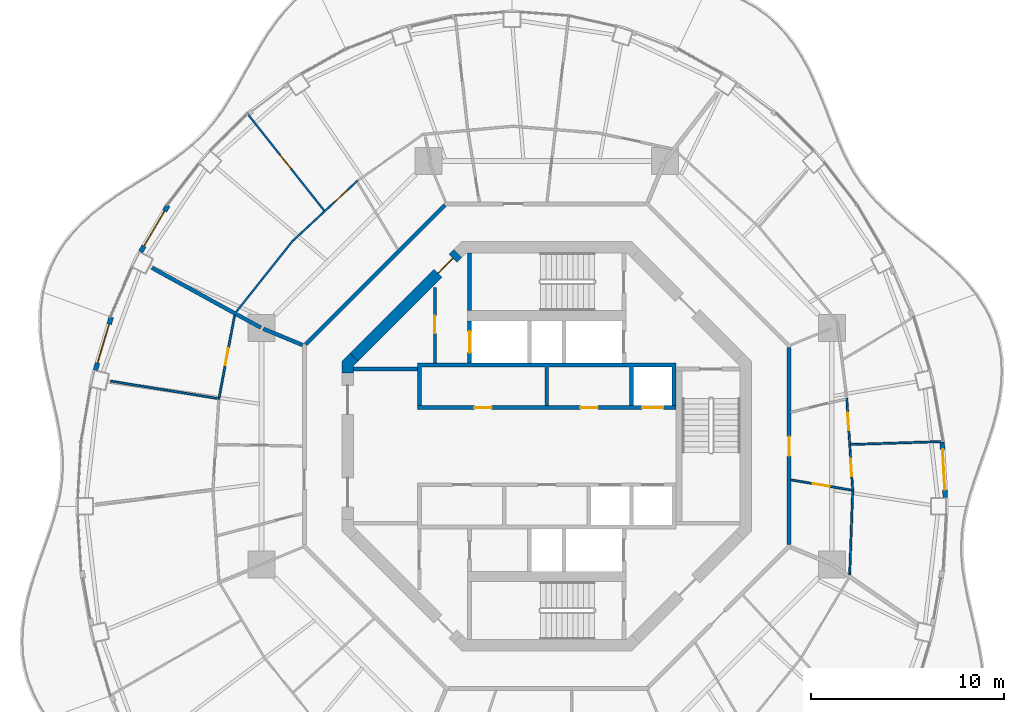
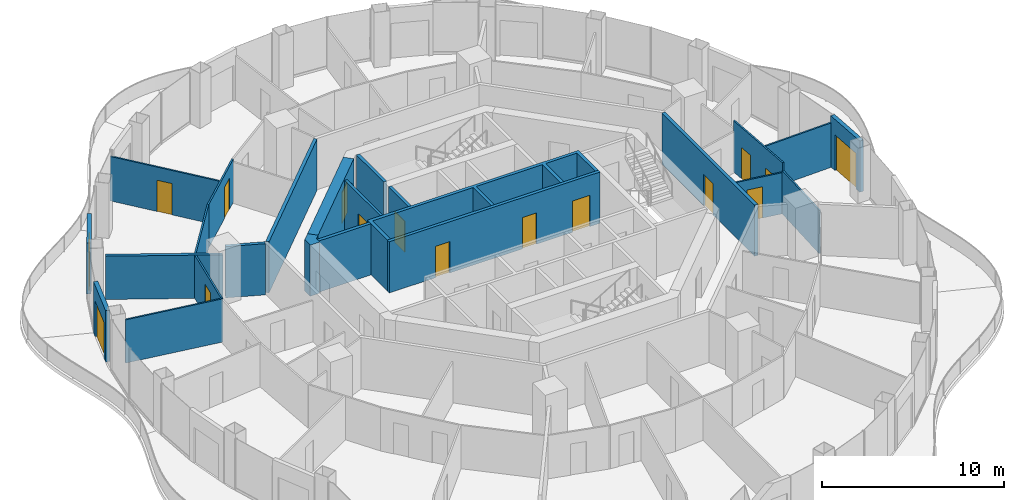
# One storey, part 12 of 17: 24 walls, 16 doors, 16 openings.
"""IFC4 building model written with IfcOpenShell, lengths in metres."""

from ifc_helpers import new_model, si_unit, direction, frame, frame_2d, origin, place, context, subcontext, project, spatial, polyline, rectangle, outline, extrude, material, layer, layer_set, type_object, element, fill, save


model = new_model("IFC4")

# Units and contexts
model_context = context("Model", 3, precision=1e-05, world=origin(), true_north=direction((0.0, 1.0)))
body_context = subcontext(model_context, "Body", "Model", "MODEL_VIEW")
ifc_project = project(units=[si_unit("LENGTHUNIT", "METRE"), si_unit("AREAUNIT", "SQUARE_METRE"), si_unit("VOLUMEUNIT", "CUBIC_METRE"), si_unit("PLANEANGLEUNIT", "RADIAN"), si_unit("MASSUNIT", "GRAM", prefix="KILO")], contexts=[model_context])

# Site, building, storey
site_placement = place(None, origin())
site = spatial("IfcSite", under=ifc_project, at=site_placement, CompositionType="ELEMENT")
building_placement = place(site_placement, origin())
building = spatial("IfcBuilding", under=site, at=building_placement, Name="Nagisa Residences", CompositionType="ELEMENT")
storey_placement = place(building_placement, frame((0.0, 0.0, 262.199951171875)))
storey = spatial("IfcBuildingStorey", under=building, at=storey_placement, Name="L66", CompositionType="ELEMENT", Elevation=262.199951171875)

# Walls
ifc_material_1 = material(Name="Gypsum board on steel studs", Category="steel")
ifc_layer_1 = layer(ifc_material_1, 0.199951171875)
ifc_layer_set_1 = layer_set([ifc_layer_1], Name="Apartment compartment wall EI60 200")
wall_type_1 = type_object("IfcWallType", Name="Apartment compartment wall EI60 200", PredefinedType="PARTITIONING", material=ifc_layer_set_1)
wall_1_placement = place(storey_placement, frame((-12.6572265625, 5.24267578125, 0.0), z_axis=(0.0, 0.0, 1.0), x_axis=(-0.923869415315, 0.382707856524, 0.0)))
element("IfcWall", 1, at=wall_1_placement, inside=storey, type_object=wall_type_1, Name="wall:L66:u02", PredefinedType="PARTITIONING", context=body_context, shape_type="SweptSolid", body=[
    extrude(rectangle(XDim=2.2001953125, YDim=0.199951171875, at=frame_2d((1.10009765625, 0.0))), origin(), (0.0, 0.0, 1.0), 3.43994140625),
])
wall_2_placement = place(storey_placement, frame((-14.825927734375, 6.14697265625, 0.0), z_axis=(0.0, 0.0, 1.0), x_axis=(-0.876484755865, 0.481429613481, 0.0)))
element("IfcWall", 2, at=wall_2_placement, inside=storey, type_object=wall_type_1, Name="wall:L66:u03", PredefinedType="PARTITIONING", context=body_context, shape_type="SweptSolid", body=[
    extrude(rectangle(XDim=6.43896484375, YDim=0.199951171875, at=frame_2d((3.219482421875, 0.0))), origin(), (0.0, 0.0, 1.0), 2.905029296875),
])

# Wall, opening, door
ifc_material_2 = material(Name="Gypsum board on steel studs", Category="steel")
ifc_layer_2 = layer(ifc_material_2, 0.199951171875)
ifc_layer_set_2 = layer_set([ifc_layer_2], Name="Apartment entry wall EI60 200")
wall_type_2 = type_object("IfcWallType", Name="Apartment entry wall EI60 200", PredefinedType="PARTITIONING", material=ifc_layer_set_2)
wall_3_placement = place(storey_placement, frame((12.564697265625, -5.1044921875, 0.0), z_axis=(0.0, 0.0, 1.0), x_axis=(0.0, 1.0, 0.0)))
wall_3 = element("IfcWall", 3, at=wall_3_placement, inside=storey, type_object=wall_type_2, Name="wall:L66:u08", PredefinedType="PARTITIONING", context=body_context, shape_type="SweptSolid", body=[
    extrude(rectangle(XDim=10.208984375, YDim=0.199951171875, at=frame_2d((5.1044921875, 0.0))), origin(), (0.0, 0.0, 1.0), 3.43994140625),
])
opening_1_placement = place(wall_3_placement, frame((4.6044921875, 0.0, 0.0)))
opening_1 = element("IfcOpeningElement", 4, at=opening_1_placement, cuts=wall_3, Name="Opening L66-U01", PredefinedType="OPENING", context=body_context, shape_type="SweptSolid", body=[
    extrude(rectangle(XDim=1.0, YDim=2.10009765625, at=frame_2d((0.5, 1.050048828125))), frame((0.0, 0.10986328125, 0.0), z_axis=(0.0, -1.0, 0.0), x_axis=(1.0, 0.0, 0.0)), (0.0, 0.0, 1.0), 0.219970703125),
])
ifc_material_3 = material(Name="Timber fire door set", Category="wood")
door_type_1 = type_object("IfcDoorType", Name="Apartment entry door FD30S 1000x2100", OperationType="NOTDEFINED", PredefinedType="DOOR", material=ifc_material_3)
door_1_placement = place(opening_1_placement, frame((1.0, 0.0, 0.0), x_axis=(-1.0, 0.0, 0.0)))
door_1 = element("IfcDoor", 5, at=door_1_placement, inside=storey, type_object=door_type_1, Name="Entry door, Apartment 66A", OperationType="SINGLE_SWING_RIGHT", OverallHeight=2.10009765625, OverallWidth=1.0, PredefinedType="DOOR", context=body_context, shape_type="SweptSolid", body=[
    extrude(rectangle(XDim=1.0, YDim=2.10009765625, at=frame_2d((0.5, 1.050048828125))), frame((0.0, 0.02490234375, 0.0), z_axis=(0.0, -1.0, 0.0), x_axis=(1.0, 0.0, 0.0)), (0.0, 0.0, 1.0), 0.050048828125),
])
fill(opening_1, door_1)

# Wall
wall_4_placement = place(storey_placement, frame((-5.275146484375, 12.494140625, 0.0), z_axis=(0.0, 0.0, 1.0), x_axis=(-0.707106781187, -0.707106781187, 0.0)))
element("IfcWall", 6, at=wall_4_placement, inside=storey, type_object=wall_type_2, Name="wall:L66:u11", PredefinedType="PARTITIONING", context=body_context, shape_type="SweptSolid", body=[
    extrude(rectangle(XDim=10.209228515625, YDim=0.199951171875, at=frame_2d((5.1044921875, 0.0))), origin(), (0.0, 0.0, 1.0), 3.43994140625),
])

# Wall, opening, door
ifc_material_4 = material(Name="Gypsum board on steel studs", Category="steel")
ifc_layer_3 = layer(ifc_material_4, 0.10009765625)
ifc_layer_set_3 = layer_set([ifc_layer_3], Name="Apartment partition 100")
wall_type_3 = type_object("IfcWallType", Name="Apartment partition 100", PredefinedType="PARTITIONING", material=ifc_layer_set_3)
wall_5_placement = place(storey_placement, frame((12.663330078125, -1.75146484375, 0.0), z_axis=(0.0, 0.0, 1.0), x_axis=(0.98626156497, -0.165191178529, 0.0)))
wall_5 = element("IfcWall", 7, at=wall_5_placement, inside=storey, type_object=wall_type_3, Name="wall:L66:u16", PredefinedType="PARTITIONING", context=body_context, shape_type="SweptSolid", body=[
    extrude(rectangle(XDim=3.1982421875, YDim=0.10009765625, at=frame_2d((1.59912109375, 0.0))), origin(), (0.0, 0.0, 1.0), 2.761962890625),
])
opening_2_placement = place(wall_5_placement, frame((1.149169921875, 0.0, 0.0)))
opening_2 = element("IfcOpeningElement", 8, at=opening_2_placement, cuts=wall_5, Name="Opening L66-U02", PredefinedType="OPENING", context=body_context, shape_type="SweptSolid", body=[
    extrude(rectangle(XDim=0.89990234375, YDim=2.10009765625, at=frame_2d((0.449951171875, 1.050048828125))), frame((0.0, 0.06005859375, 0.0), z_axis=(0.0, -1.0, 0.0), x_axis=(1.0, 0.0, 0.0)), (0.0, 0.0, 1.0), 0.1201171875),
])
ifc_material_5 = material(Name="Timber door set", Category="wood")
door_type_2 = type_object("IfcDoorType", Name="Apartment door 900x2100", OperationType="NOTDEFINED", PredefinedType="DOOR", material=ifc_material_5)
door_2_placement = place(opening_2_placement, frame((0.89990234375, 0.0, 0.0), x_axis=(-1.0, 0.0, 0.0)))
door_2 = element("IfcDoor", 9, at=door_2_placement, inside=storey, type_object=door_type_2, Name="Door to store, Apartment 66A", OperationType="SINGLE_SWING_LEFT", OverallHeight=2.10009765625, OverallWidth=0.89990234375, PredefinedType="DOOR", context=body_context, shape_type="SweptSolid", body=[
    extrude(rectangle(XDim=0.89990234375, YDim=2.10009765625, at=frame_2d((0.449951171875, 1.050048828125))), frame((0.0, 0.02490234375, 0.0), z_axis=(0.0, -1.0, 0.0), x_axis=(1.0, 0.0, 0.0)), (0.0, 0.0, 1.0), 0.050048828125),
])
fill(opening_2, door_2)

# Wall, openings, doors
wall_6_placement = place(storey_placement, frame((15.8701171875, -2.337890625, 0.0), z_axis=(0.0, 0.0, 1.0), x_axis=(-0.064797294757, 0.997898447034, 0.0)))
wall_6 = element("IfcWall", 10, at=wall_6_placement, inside=storey, type_object=wall_type_3, Name="wall:L66:u17", PredefinedType="PARTITIONING", context=body_context, shape_type="SweptSolid", body=[
    extrude(rectangle(XDim=4.856689453125, YDim=0.10009765625, at=frame_2d((2.42822265625, 0.0))), origin(), (0.0, 0.0, 1.0), 3.43994140625),
])
opening_3_placement = place(wall_6_placement, frame((0.789306640625, 0.0, 0.0)))
opening_3 = element("IfcOpeningElement", 11, at=opening_3_placement, cuts=wall_6, Name="Opening L66-U04", PredefinedType="OPENING", context=body_context, shape_type="SweptSolid", body=[
    extrude(rectangle(XDim=0.89990234375, YDim=2.10009765625, at=frame_2d((0.449951171875, 1.050048828125))), frame((0.0, 0.06005859375, 0.0), z_axis=(0.0, -1.0, 0.0), x_axis=(1.0, 0.0, 0.0)), (0.0, 0.0, 1.0), 0.1201171875),
])
opening_4_placement = place(wall_6_placement, frame((3.16748046875, 0.0, 0.0)))
opening_4 = element("IfcOpeningElement", 12, at=opening_4_placement, cuts=wall_6, Name="Opening L66-U05", PredefinedType="OPENING", context=body_context, shape_type="SweptSolid", body=[
    extrude(rectangle(XDim=0.89990234375, YDim=2.10009765625, at=frame_2d((0.449951171875, 1.050048828125))), frame((0.0, 0.06005859375, 0.0), z_axis=(0.0, -1.0, 0.0), x_axis=(1.0, 0.0, 0.0)), (0.0, 0.0, 1.0), 0.1201171875),
])
door_3_placement = place(opening_3_placement, frame((0.89990234375, 0.0, 0.0), x_axis=(-1.0, 0.0, 0.0)))
door_3 = element("IfcDoor", 13, at=door_3_placement, inside=storey, type_object=door_type_2, Name="Door to master bedroom, Apartment 66A", OperationType="SINGLE_SWING_LEFT", OverallHeight=2.10009765625, OverallWidth=0.89990234375, PredefinedType="DOOR", context=body_context, shape_type="SweptSolid", body=[
    extrude(rectangle(XDim=0.89990234375, YDim=2.10009765625, at=frame_2d((0.449951171875, 1.050048828125))), frame((0.0, 0.02490234375, 0.0), z_axis=(0.0, -1.0, 0.0), x_axis=(1.0, 0.0, 0.0)), (0.0, 0.0, 1.0), 0.050048828125),
])
fill(opening_3, door_3)
door_4_placement = place(opening_4_placement, frame((0.89990234375, 0.0, 0.0), x_axis=(-1.0, 0.0, 0.0)))
door_4 = element("IfcDoor", 14, at=door_4_placement, inside=storey, type_object=door_type_2, Name="Door to bedroom, Apartment 66A", OperationType="SINGLE_SWING_RIGHT", OverallHeight=2.10009765625, OverallWidth=0.89990234375, PredefinedType="DOOR", context=body_context, shape_type="SweptSolid", body=[
    extrude(rectangle(XDim=0.89990234375, YDim=2.10009765625, at=frame_2d((0.449951171875, 1.050048828125))), frame((0.0, 0.02490234375, 0.0), z_axis=(0.0, -1.0, 0.0), x_axis=(1.0, 0.0, 0.0)), (0.0, 0.0, 1.0), 0.050048828125),
])
fill(opening_4, door_4)

# Walls
wall_7_placement = place(storey_placement, frame((15.864990234375, -2.337890625, 0.0), z_axis=(0.0, 0.0, 1.0), x_axis=(-0.035864509465, -0.999356661538, 0.0)))
element("IfcWall", 15, at=wall_7_placement, inside=storey, type_object=wall_type_3, Name="wall:L66:u18", PredefinedType="PARTITIONING", context=body_context, shape_type="SweptSolid", body=[
    extrude(rectangle(XDim=4.329345703125, YDim=0.10009765625, at=frame_2d((2.16455078125, 0.0))), origin(), (0.0, 0.0, 1.0), 2.905029296875),
])
wall_8_placement = place(storey_placement, frame((15.7626953125, 0.0869140625, 0.0), z_axis=(0.0, 0.0, 1.0), x_axis=(0.999492034598, 0.03186962151, 0.0)))
element("IfcWall", 16, at=wall_8_placement, inside=storey, type_object=wall_type_3, Name="wall:L66:u19", PredefinedType="PARTITIONING", context=body_context, shape_type="SweptSolid", body=[
    extrude(rectangle(XDim=4.826171875, YDim=0.10009765625, at=frame_2d((2.4130859375, 0.0))), origin(), (0.0, 0.0, 1.0), 2.983154296875),
])

# Wall, opening, door
wall_9_placement = place(storey_placement, frame((-9.802001953125, 13.770263671875, 0.0), z_axis=(0.0, 0.0, 1.0), x_axis=(-0.732662099478, -0.680592571212, 0.0)))
wall_9 = element("IfcWall", 17, at=wall_9_placement, inside=storey, type_object=wall_type_3, Name="wall:L66:u36", PredefinedType="PARTITIONING", context=body_context, shape_type="SweptSolid", body=[
    extrude(rectangle(XDim=4.56689453125, YDim=0.10009765625, at=frame_2d((2.283447265625, 0.0))), origin(), (0.0, 0.0, 1.0), 2.905029296875),
])
opening_5_placement = place(wall_9_placement, frame((0.74169921875, 0.0, 0.0)))
opening_5 = element("IfcOpeningElement", 18, at=opening_5_placement, cuts=wall_9, Name="Opening L66-U17", PredefinedType="OPENING", context=body_context, shape_type="SweptSolid", body=[
    extrude(rectangle(XDim=0.89990234375, YDim=2.10009765625, at=frame_2d((0.449951171875, 1.050048828125))), frame((0.0, 0.06005859375, 0.0), z_axis=(0.0, -1.0, 0.0), x_axis=(1.0, 0.0, 0.0)), (0.0, 0.0, 1.0), 0.1201171875),
])
door_5_placement = place(opening_5_placement, origin())
door_5 = element("IfcDoor", 19, at=door_5_placement, inside=storey, type_object=door_type_2, Name="Door to laundry, Apartment 66B", OperationType="SINGLE_SWING_LEFT", OverallHeight=2.10009765625, OverallWidth=0.89990234375, PredefinedType="DOOR", context=body_context, shape_type="SweptSolid", body=[
    extrude(rectangle(XDim=0.89990234375, YDim=2.10009765625, at=frame_2d((0.449951171875, 1.050048828125))), frame((0.0, 0.02490234375, 0.0), z_axis=(0.0, -1.0, 0.0), x_axis=(1.0, 0.0, 0.0)), (0.0, 0.0, 1.0), 0.050048828125),
])
fill(opening_5, door_5)

wall_10_placement = place(storey_placement, frame((-11.542724609375, 12.221435546875, 0.0), z_axis=(0.0, 0.0, 1.0), x_axis=(-0.621117202271, 0.783717692185, 0.0)))
wall_10 = element("IfcWall", 20, at=wall_10_placement, inside=storey, type_object=wall_type_3, Name="wall:L66:u37", PredefinedType="PARTITIONING", context=body_context, shape_type="SweptSolid", body=[
    extrude(rectangle(XDim=6.4443359375, YDim=0.10009765625, at=frame_2d((3.22216796875, 0.0))), origin(), (0.0, 0.0, 1.0), 2.983154296875),
])
opening_6_placement = place(wall_10_placement, frame((2.772216796875, 0.0, 0.0)))
opening_6 = element("IfcOpeningElement", 21, at=opening_6_placement, cuts=wall_10, Name="Opening L66-U15", PredefinedType="OPENING", context=body_context, shape_type="SweptSolid", body=[
    extrude(rectangle(XDim=0.89990234375, YDim=2.10009765625, at=frame_2d((0.449951171875, 1.050048828125))), frame((0.0, 0.06005859375, 0.0), z_axis=(0.0, -1.0, 0.0), x_axis=(1.0, 0.0, 0.0)), (0.0, 0.0, 1.0), 0.1201171875),
])
door_6_placement = place(opening_6_placement, origin())
door_6 = element("IfcDoor", 22, at=door_6_placement, inside=storey, type_object=door_type_2, Name="Door to master bedroom, Apartment 66B", OperationType="SINGLE_SWING_LEFT", OverallHeight=2.10009765625, OverallWidth=0.89990234375, PredefinedType="DOOR", context=body_context, shape_type="SweptSolid", body=[
    extrude(rectangle(XDim=0.89990234375, YDim=2.10009765625, at=frame_2d((0.449951171875, 1.050048828125))), frame((0.0, 0.02490234375, 0.0), z_axis=(0.0, -1.0, 0.0), x_axis=(1.0, 0.0, 0.0)), (0.0, 0.0, 1.0), 0.050048828125),
])
fill(opening_6, door_6)

# Wall
wall_11_placement = place(storey_placement, frame((-13.153564453125, 10.667236328125, 0.0), z_axis=(0.0, 0.0, 1.0), x_axis=(-0.622246555556, -0.782821323227, 0.0)))
element("IfcWall", 23, at=wall_11_placement, inside=storey, type_object=wall_type_3, Name="wall:L66:u38", PredefinedType="PARTITIONING", context=body_context, shape_type="SweptSolid", body=[
    extrude(rectangle(XDim=4.736083984375, YDim=0.10009765625, at=frame_2d((2.3681640625, 0.0))), origin(), (0.0, 0.0, 1.0), 2.905029296875),
])

# Wall, opening, door
wall_12_placement = place(storey_placement, frame((-16.181396484375, 6.783203125, 0.0), z_axis=(0.0, 0.0, 1.0), x_axis=(-0.185670583745, -0.982612046706, 0.0)))
wall_12 = element("IfcWall", 24, at=wall_12_placement, inside=storey, type_object=wall_type_3, Name="wall:L66:u39", PredefinedType="PARTITIONING", context=body_context, shape_type="SweptSolid", body=[
    extrude(rectangle(XDim=4.35107421875, YDim=0.10009765625, at=frame_2d((2.175537109375, 0.0))), origin(), (0.0, 0.0, 1.0), 2.905029296875),
])
opening_7_placement = place(wall_12_placement, frame((1.7255859375, 0.0, 0.0)))
opening_7 = element("IfcOpeningElement", 25, at=opening_7_placement, cuts=wall_12, Name="Opening L66-U21", PredefinedType="OPENING", context=body_context, shape_type="SweptSolid", body=[
    extrude(rectangle(XDim=0.89990234375, YDim=2.10009765625, at=frame_2d((0.449951171875, 1.050048828125))), frame((0.0, 0.06005859375, 0.0), z_axis=(0.0, -1.0, 0.0), x_axis=(1.0, 0.0, 0.0)), (0.0, 0.0, 1.0), 0.1201171875),
])
door_7_placement = place(opening_7_placement, frame((0.89990234375, 0.0, 0.0), x_axis=(-1.0, 0.0, 0.0)))
door_7 = element("IfcDoor", 26, at=door_7_placement, inside=storey, type_object=door_type_2, Name="Door to bedroom, Apartment 66C", OperationType="SINGLE_SWING_RIGHT", OverallHeight=2.10009765625, OverallWidth=0.89990234375, PredefinedType="DOOR", context=body_context, shape_type="SweptSolid", body=[
    extrude(rectangle(XDim=0.89990234375, YDim=2.10009765625, at=frame_2d((0.449951171875, 1.050048828125))), frame((0.0, 0.02490234375, 0.0), z_axis=(0.0, -1.0, 0.0), x_axis=(1.0, 0.0, 0.0)), (0.0, 0.0, 1.0), 0.050048828125),
])
fill(opening_7, door_7)

# Wall
wall_13_placement = place(storey_placement, frame((-16.94921875, 2.45068359375, 0.0), z_axis=(0.0, 0.0, 1.0), x_axis=(-0.986937570833, 0.161103169673, 0.0)))
element("IfcWall", 27, at=wall_13_placement, inside=storey, type_object=wall_type_3, Name="wall:L66:u40", PredefinedType="PARTITIONING", context=body_context, shape_type="SweptSolid", body=[
    extrude(rectangle(XDim=5.743408203125, YDim=0.10009765625, at=frame_2d((2.87158203125, 0.0))), origin(), (0.0, 0.0, 1.0), 2.905029296875),
])

# Wall, opening, door
ifc_material_6 = material(Name="Precast concrete C40/50", Category="concrete")
ifc_layer_4 = layer(ifc_material_6, 0.25)
ifc_layer_set_4 = layer_set([ifc_layer_4], Name="BALCONY DOOR WALL 250")
wall_type_4 = type_object("IfcWallType", Name="BALCONY DOOR WALL 250", PredefinedType="SOLIDWALL", material=ifc_layer_set_4)
wall_14_placement = place(storey_placement, frame((20.501708984375, 0.23486328125, 0.0), z_axis=(0.0, 0.0, 1.0), x_axis=(0.057533933376, -0.998343551344, 0.0)))
wall_14 = element("IfcWall", 28, at=wall_14_placement, inside=storey, type_object=wall_type_4, Name="wall:L66:bay00", PredefinedType="SOLIDWALL", context=body_context, shape_type="SweptSolid", body=[
    extrude(rectangle(XDim=2.915283203125, YDim=0.25, at=frame_2d((1.45751953125, 0.0))), origin(), (0.0, 0.0, 1.0), 3.43994140625),
])
opening_8_placement = place(wall_14_placement, frame((0.40771484375, 0.0, 0.0)))
opening_8 = element("IfcOpeningElement", 29, at=opening_8_placement, cuts=wall_14, Name="Opening BD-L66-01", PredefinedType="OPENING", context=body_context, shape_type="SweptSolid", body=[
    extrude(rectangle(XDim=2.10009765625, YDim=2.39990234375, at=frame_2d((1.050048828125, 1.199951171875))), frame((0.0, 0.135009765625, 0.0), z_axis=(0.0, -1.0, 0.0), x_axis=(1.0, 0.0, 0.0)), (0.0, 0.0, 1.0), 0.27001953125),
])
ifc_material_7 = material(Name="Aluminium and clear glass", Category="aluminium")
door_type_3 = type_object("IfcDoorType", Name="BALCONY SLIDING DOOR 2100x2400", OperationType="SLIDING_TO_LEFT", PredefinedType="DOOR", material=ifc_material_7)
door_8_placement = place(opening_8_placement, origin())
door_8 = element("IfcDoor", 30, at=door_8_placement, inside=storey, type_object=door_type_3, Name="door:L66:bay00", OperationType="SLIDING_TO_LEFT", OverallHeight=2.39990234375, OverallWidth=2.10009765625, PredefinedType="DOOR", context=body_context, shape_type="SweptSolid", body=[
    extrude(rectangle(XDim=2.10009765625, YDim=2.39990234375, at=frame_2d((1.050048828125, 1.199951171875))), frame((0.0, 0.02490234375, 0.0), z_axis=(0.0, -1.0, 0.0), x_axis=(1.0, 0.0, 0.0)), (0.0, 0.0, 1.0), 0.050048828125),
])
fill(opening_8, door_8)

wall_15_placement = place(storey_placement, frame((-21.053955078125, 10.0771484375, 0.0), z_axis=(0.0, 0.0, 1.0), x_axis=(0.506371364425, 0.862315511452, 0.0)))
wall_15 = element("IfcWall", 31, at=wall_15_placement, inside=storey, type_object=wall_type_4, Name="wall:L66:bay19", PredefinedType="SOLIDWALL", context=body_context, shape_type="SweptSolid", body=[
    extrude(rectangle(XDim=2.79638671875, YDim=0.25, at=frame_2d((1.398193359375, 0.0))), origin(), (0.0, 0.0, 1.0), 3.43994140625),
])
opening_9_placement = place(wall_15_placement, frame((0.34814453125, 0.0, 0.0)))
opening_9 = element("IfcOpeningElement", 32, at=opening_9_placement, cuts=wall_15, Name="Opening BD-L66-07", PredefinedType="OPENING", context=body_context, shape_type="SweptSolid", body=[
    extrude(rectangle(XDim=2.10009765625, YDim=2.39990234375, at=frame_2d((1.050048828125, 1.199951171875))), frame((0.0, 0.135009765625, 0.0), z_axis=(0.0, -1.0, 0.0), x_axis=(1.0, 0.0, 0.0)), (0.0, 0.0, 1.0), 0.27001953125),
])
door_9_placement = place(opening_9_placement, origin())
door_9 = element("IfcDoor", 33, at=door_9_placement, inside=storey, type_object=door_type_3, Name="door:L66:bay19", OperationType="SLIDING_TO_LEFT", OverallHeight=2.39990234375, OverallWidth=2.10009765625, PredefinedType="DOOR", context=body_context, shape_type="SweptSolid", body=[
    extrude(rectangle(XDim=2.10009765625, YDim=2.39990234375, at=frame_2d((1.050048828125, 1.199951171875))), frame((0.0, 0.02490234375, 0.0), z_axis=(0.0, -1.0, 0.0), x_axis=(1.0, 0.0, 0.0)), (0.0, 0.0, 1.0), 0.050048828125),
])
fill(opening_9, door_9)

wall_16_placement = place(storey_placement, frame((-23.40087890625, 3.939697265625, 0.0), z_axis=(0.0, 0.0, 1.0), x_axis=(0.285876209024, 0.9582665564, 0.0)))
wall_16 = element("IfcWall", 34, at=wall_16_placement, inside=storey, type_object=wall_type_4, Name="wall:L66:bay21", PredefinedType="SOLIDWALL", context=body_context, shape_type="SweptSolid", body=[
    extrude(rectangle(XDim=2.877197265625, YDim=0.25, at=frame_2d((1.4384765625, 0.0))), origin(), (0.0, 0.0, 1.0), 3.43994140625),
])
opening_10_placement = place(wall_16_placement, frame((0.388671875, 0.0, 0.0)))
opening_10 = element("IfcOpeningElement", 35, at=opening_10_placement, cuts=wall_16, Name="Opening BD-L66-08", PredefinedType="OPENING", context=body_context, shape_type="SweptSolid", body=[
    extrude(rectangle(XDim=2.10009765625, YDim=2.39990234375, at=frame_2d((1.050048828125, 1.199951171875))), frame((0.0, 0.135009765625, 0.0), z_axis=(0.0, -1.0, 0.0), x_axis=(1.0, 0.0, 0.0)), (0.0, 0.0, 1.0), 0.27001953125),
])
door_10_placement = place(opening_10_placement, origin())
door_10 = element("IfcDoor", 36, at=door_10_placement, inside=storey, type_object=door_type_3, Name="door:L66:bay21", OperationType="SLIDING_TO_LEFT", OverallHeight=2.39990234375, OverallWidth=2.10009765625, PredefinedType="DOOR", context=body_context, shape_type="SweptSolid", body=[
    extrude(rectangle(XDim=2.10009765625, YDim=2.39990234375, at=frame_2d((1.050048828125, 1.199951171875))), frame((0.0, 0.02490234375, 0.0), z_axis=(0.0, -1.0, 0.0), x_axis=(1.0, 0.0, 0.0)), (0.0, 0.0, 1.0), 0.050048828125),
])
fill(opening_10, door_10)

ifc_material_8 = material(Name="Gypsum board on steel studs", Category="steel")
ifc_layer_5 = layer(ifc_material_8, 0.14990234375)
ifc_layer_set_5 = layer_set([ifc_layer_5], Name="Core partition 150")
wall_type_5 = type_object("IfcWallType", Name="Core partition 150", PredefinedType="PARTITIONING", material=ifc_layer_set_5)
wall_17_placement = place(storey_placement, frame((-5.800048828125, 4.300048828125, 0.0), z_axis=(0.0, 0.0, 1.0), x_axis=(0.0, 1.0, 0.0)))
wall_17 = element("IfcWall", 37, at=wall_17_placement, inside=storey, type_object=wall_type_5, Name="wall:L66:NWp", PredefinedType="PARTITIONING", context=body_context, shape_type="SweptSolid", body=[
    extrude(rectangle(XDim=3.927001953125, YDim=0.14990234375, at=frame_2d((1.96337890625, 0.0))), origin(), (0.0, 0.0, 1.0), 3.43994140625),
])
opening_11_placement = place(wall_17_placement, frame((1.551025390625, 0.0, 0.0)))
opening_11 = element("IfcOpeningElement", 38, at=opening_11_placement, cuts=wall_17, Name="Opening L66-C10", PredefinedType="OPENING", context=body_context, shape_type="SweptSolid", body=[
    extrude(rectangle(XDim=0.89990234375, YDim=2.10009765625, at=frame_2d((0.449951171875, 1.050048828125))), frame((0.0, 0.0849609375, 0.0), z_axis=(0.0, -1.0, 0.0), x_axis=(1.0, 0.0, 0.0)), (0.0, 0.0, 1.0), 0.169921875),
])
ifc_material_9 = material(Name="Steel fire door", Category="steel")
door_type_4 = type_object("IfcDoorType", Name="Fire door EI30 900x2100 single swing", OperationType="NOTDEFINED", PredefinedType="DOOR", material=ifc_material_9)
door_11_placement = place(opening_11_placement, origin())
door_11 = element("IfcDoor", 39, at=door_11_placement, inside=storey, type_object=door_type_4, Name="Linen store door L66", OperationType="SINGLE_SWING_LEFT", OverallHeight=2.10009765625, OverallWidth=0.89990234375, PredefinedType="DOOR", context=body_context, shape_type="SweptSolid", body=[
    extrude(rectangle(XDim=0.89990234375, YDim=2.10009765625, at=frame_2d((0.449951171875, 1.050048828125))), frame((0.0, 0.02490234375, 0.0), z_axis=(0.0, -1.0, 0.0), x_axis=(1.0, 0.0, 0.0)), (0.0, 0.0, 1.0), 0.050048828125),
])
fill(opening_11, door_11)

# Wall
ifc_material_10 = material(Name="Gypsum board on steel studs", Category="steel")
ifc_layer_6 = layer(ifc_material_10, 0.199951171875)
ifc_layer_set_6 = layer_set([ifc_layer_6], Name="Core partition 200")
wall_type_6 = type_object("IfcWallType", Name="Core partition 200", PredefinedType="PARTITIONING", material=ifc_layer_set_6)
wall_18_placement = place(storey_placement, frame((-10.024658203125, 4.0, 0.0), z_axis=(0.0, 0.0, 1.0), x_axis=(1.0, 0.0, 0.0)))
element("IfcWall", 40, at=wall_18_placement, inside=storey, type_object=wall_type_6, Name="wall:L66:PNW", PredefinedType="PARTITIONING", context=body_context, shape_type="SweptSolid", body=[
    extrude(rectangle(XDim=3.32470703125, YDim=0.199951171875, at=frame_2d((1.662353515625, 0.0))), origin(), (0.0, 0.0, 1.0), 3.43994140625),
])

# Wall, opening, door
ifc_material_11 = material(Name="Concrete C60", Category="concrete")
ifc_layer_7 = layer(ifc_material_11, 0.60009765625)
ifc_layer_set_7 = layer_set([ifc_layer_7], Name="Core shear wall 600")
wall_type_7 = type_object("IfcWallType", Name="Core shear wall 600", PredefinedType="SHEAR", material=ifc_layer_set_7)
wall_19_placement = place(storey_placement, frame((-4.613037109375, 9.98828125, 0.0), z_axis=(0.0, 0.0, 1.0), x_axis=(-0.707106781187, -0.707106781187, 0.0)))
wall_19 = element("IfcWall", 41, at=wall_19_placement, inside=storey, type_object=wall_type_7, Name="wall:L66:core:flat3", PredefinedType="SHEAR", context=body_context, shape_type="SweptSolid", body=[
    extrude(rectangle(XDim=7.601806640625, YDim=0.60009765625, at=frame_2d((3.80078125, 0.0))), origin(), (0.0, 0.0, 1.0), 3.43994140625),
])
opening_12_placement = place(wall_19_placement, frame((0.350830078125, 0.0, 0.0)))
opening_12 = element("IfcOpeningElement", 42, at=opening_12_placement, cuts=wall_19, Name="Opening L66-C21", PredefinedType="OPENING", context=body_context, shape_type="SweptSolid", body=[
    extrude(rectangle(XDim=1.10009765625, YDim=2.10009765625, at=frame_2d((0.550048828125, 1.050048828125))), frame((0.0, 0.31005859375, 0.0), z_axis=(0.0, -1.0, 0.0), x_axis=(1.0, 0.0, 0.0)), (0.0, 0.0, 1.0), 0.6201171875),
])
ifc_material_12 = material(Name="Steel fire door", Category="steel")
door_type_5 = type_object("IfcDoorType", Name="Fire door EI60 1100x2100 single swing", OperationType="NOTDEFINED", PredefinedType="DOOR", material=ifc_material_12)
door_12_placement = place(opening_12_placement, origin())
door_12 = element("IfcDoor", 43, at=door_12_placement, inside=storey, type_object=door_type_5, Name="Service lobby door L66", OperationType="SINGLE_SWING_RIGHT", OverallHeight=2.10009765625, OverallWidth=1.10009765625, PredefinedType="DOOR", context=body_context, shape_type="SweptSolid", body=[
    extrude(rectangle(XDim=1.10009765625, YDim=2.10009765625, at=frame_2d((0.550048828125, 1.050048828125))), frame((0.0, 0.02490234375, 0.0), z_axis=(0.0, -1.0, 0.0), x_axis=(1.0, 0.0, 0.0)), (0.0, 0.0, 1.0), 0.050048828125),
])
fill(opening_12, door_12)

# Wall
wall_20_placement = place(storey_placement, origin())
element("IfcWall", 44, at=wall_20_placement, inside=storey, type_object=wall_type_7, Name="wall:L66:core:pier3", PredefinedType="SHEAR", context=body_context, shape_type="SweptSolid", body=[
    extrude(outline(polyline([(-10.200439453125, 4.8251953125), (-9.776123046875, 4.40087890625), (-10.024658203125, 4.15234375), (-10.024658203125, 3.80078125), (-10.62451171875, 3.80078125), (-10.62451171875, 4.40087890625), (-10.200439453125, 4.8251953125)])), origin(), (0.0, 0.0, 1.0), 3.43994140625),
])

# Wall, opening, door
ifc_material_13 = material(Name="Concrete C60", Category="concrete")
ifc_layer_8 = layer(ifc_material_13, 0.199951171875)
ifc_layer_set_8 = layer_set([ifc_layer_8], Name="Lift shaft wall 200")
wall_type_8 = type_object("IfcWallType", Name="Lift shaft wall 200", PredefinedType="SOLIDWALL", material=ifc_layer_set_8)
wall_21_placement = place(storey_placement, frame((-4.0, 4.300048828125, 0.0), z_axis=(0.0, 0.0, 1.0), x_axis=(0.0, 1.0, 0.0)))
wall_21 = element("IfcWall", 45, at=wall_21_placement, inside=storey, type_object=wall_type_8, Name="wall:L66:Nb4", PredefinedType="SOLIDWALL", context=body_context, shape_type="SweptSolid", body=[
    extrude(rectangle(XDim=2.199951171875, YDim=0.199951171875, at=frame_2d((1.10009765625, 0.0))), origin(), (0.0, 0.0, 1.0), 3.43994140625),
])
opening_13_placement = place(wall_21_placement, frame((0.550048828125, 0.0, 0.0)))
opening_13 = element("IfcOpeningElement", 46, at=opening_13_placement, cuts=wall_21, Name="Opening L66-C06", PredefinedType="OPENING", context=body_context, shape_type="SweptSolid", body=[
    extrude(rectangle(XDim=1.10009765625, YDim=2.10009765625, at=frame_2d((0.550048828125, 1.050048828125))), frame((0.0, 0.10986328125, 0.0), z_axis=(0.0, -1.0, 0.0), x_axis=(1.0, 0.0, 0.0)), (0.0, 0.0, 1.0), 0.219970703125),
])
ifc_material_14 = material(Name="Stainless steel", Category="steel")
door_type_6 = type_object("IfcDoorType", Name="Lift landing door 1100x2100", OperationType="DOUBLE_DOOR_SLIDING", PredefinedType="DOOR", material=ifc_material_14)
door_13_placement = place(opening_13_placement, origin())
door_13 = element("IfcDoor", 47, at=door_13_placement, inside=storey, type_object=door_type_6, Name="Landing door SV L66", OperationType="DOUBLE_DOOR_SLIDING", OverallHeight=2.10009765625, OverallWidth=1.10009765625, PredefinedType="DOOR", context=body_context, shape_type="SweptSolid", body=[
    extrude(rectangle(XDim=1.10009765625, YDim=2.10009765625, at=frame_2d((0.550048828125, 1.050048828125))), frame((0.0, 0.02490234375, 0.0), z_axis=(0.0, -1.0, 0.0), x_axis=(1.0, 0.0, 0.0)), (0.0, 0.0, 1.0), 0.050048828125),
])
fill(opening_13, door_13)

# Wall, openings, doors
wall_22_placement = place(storey_placement, frame((-6.699951171875, 2.0, 0.0), z_axis=(0.0, 0.0, 1.0), x_axis=(1.0, 0.0, 0.0)))
wall_22 = element("IfcWall", 48, at=wall_22_placement, inside=storey, type_object=wall_type_8, Name="wall:L66:Nfront", PredefinedType="SOLIDWALL", context=body_context, shape_type="SweptSolid", body=[
    extrude(rectangle(XDim=13.39990234375, YDim=0.199951171875, at=frame_2d((6.699951171875, 0.0))), origin(), (0.0, 0.0, 1.0), 3.43994140625),
])
opening_14_placement = place(wall_22_placement, frame((11.64990234375, 0.0, 0.0)))
opening_14 = element("IfcOpeningElement", 49, at=opening_14_placement, cuts=wall_22, Name="Opening L66-C01", PredefinedType="OPENING", context=body_context, shape_type="SweptSolid", body=[
    extrude(rectangle(XDim=1.10009765625, YDim=2.10009765625, at=frame_2d((0.550048828125, 1.050048828125))), frame((0.0, 0.10986328125, 0.0), z_axis=(0.0, -1.0, 0.0), x_axis=(1.0, 0.0, 0.0)), (0.0, 0.0, 1.0), 0.219970703125),
])
opening_15_placement = place(wall_22_placement, frame((2.949951171875, 0.0, 0.0)))
opening_15 = element("IfcOpeningElement", 50, at=opening_15_placement, cuts=wall_22, Name="Opening L66-C13", PredefinedType="OPENING", context=body_context, shape_type="SweptSolid", body=[
    extrude(rectangle(XDim=0.89990234375, YDim=2.10009765625, at=frame_2d((0.449951171875, 1.050048828125))), frame((0.0, 0.10986328125, 0.0), z_axis=(0.0, -1.0, 0.0), x_axis=(1.0, 0.0, 0.0)), (0.0, 0.0, 1.0), 0.219970703125),
])
opening_16_placement = place(wall_22_placement, frame((8.449951171875, 0.0, 0.0)))
opening_16 = element("IfcOpeningElement", 51, at=opening_16_placement, cuts=wall_22, Name="Opening L66-C14", PredefinedType="OPENING", context=body_context, shape_type="SweptSolid", body=[
    extrude(rectangle(XDim=0.89990234375, YDim=2.10009765625, at=frame_2d((0.449951171875, 1.050048828125))), frame((0.0, 0.10986328125, 0.0), z_axis=(0.0, -1.0, 0.0), x_axis=(1.0, 0.0, 0.0)), (0.0, 0.0, 1.0), 0.219970703125),
])
door_14_placement = place(opening_15_placement, origin())
door_14 = element("IfcDoor", 52, at=door_14_placement, inside=storey, type_object=door_type_4, Name="Housekeeping store door L66", OperationType="SINGLE_SWING_RIGHT", OverallHeight=2.10009765625, OverallWidth=0.89990234375, PredefinedType="DOOR", context=body_context, shape_type="SweptSolid", body=[
    extrude(rectangle(XDim=0.89990234375, YDim=2.10009765625, at=frame_2d((0.449951171875, 1.050048828125))), frame((0.0, 0.02490234375, 0.0), z_axis=(0.0, -1.0, 0.0), x_axis=(1.0, 0.0, 0.0)), (0.0, 0.0, 1.0), 0.050048828125),
])
fill(opening_15, door_14)
door_15_placement = place(opening_16_placement, origin())
door_15 = element("IfcDoor", 53, at=door_15_placement, inside=storey, type_object=door_type_4, Name="Owner storage door L66", OperationType="SINGLE_SWING_RIGHT", OverallHeight=2.10009765625, OverallWidth=0.89990234375, PredefinedType="DOOR", context=body_context, shape_type="SweptSolid", body=[
    extrude(rectangle(XDim=0.89990234375, YDim=2.10009765625, at=frame_2d((0.449951171875, 1.050048828125))), frame((0.0, 0.02490234375, 0.0), z_axis=(0.0, -1.0, 0.0), x_axis=(1.0, 0.0, 0.0)), (0.0, 0.0, 1.0), 0.050048828125),
])
fill(opening_16, door_15)
door_16_placement = place(opening_14_placement, origin())
door_16 = element("IfcDoor", 54, at=door_16_placement, inside=storey, type_object=door_type_6, Name="Landing door C1 L66", OperationType="DOUBLE_DOOR_SLIDING", OverallHeight=2.10009765625, OverallWidth=1.10009765625, PredefinedType="DOOR", context=body_context, shape_type="SweptSolid", body=[
    extrude(rectangle(XDim=1.10009765625, YDim=2.10009765625, at=frame_2d((0.550048828125, 1.050048828125))), frame((0.0, 0.02490234375, 0.0), z_axis=(0.0, -1.0, 0.0), x_axis=(1.0, 0.0, 0.0)), (0.0, 0.0, 1.0), 0.050048828125),
])
fill(opening_14, door_16)

# Walls
wall_23_placement = place(storey_placement, origin())
element("IfcWall", 55, at=wall_23_placement, inside=storey, type_object=wall_type_8, Name="wall:L66:Nback", PredefinedType="SOLIDWALL", context=body_context, shape_type="SweptSolid", body=[
    extrude(outline(polyline([(-6.699951171875, 4.300048828125), (6.699951171875, 4.300048828125), (6.699951171875, 2.10009765625), (6.5, 2.10009765625), (6.5, 4.10009765625), (4.5, 4.10009765625), (4.5, 2.10009765625), (4.300048828125, 2.10009765625), (4.300048828125, 4.10009765625), (0.10009765625, 4.10009765625), (0.10009765625, 2.10009765625), (-0.10009765625, 2.10009765625), (-0.10009765625, 4.10009765625), (-6.5, 4.10009765625), (-6.5, 2.10009765625), (-6.699951171875, 2.10009765625), (-6.699951171875, 4.300048828125)])), origin(), (0.0, 0.0, 1.0), 3.43994140625),
])
ifc_material_15 = material(Name="Concrete C60", Category="concrete")
ifc_layer_9 = layer(ifc_material_15, 0.199951171875)
ifc_layer_set_9 = layer_set([ifc_layer_9], Name="Stair enclosure wall 200")
wall_type_9 = type_object("IfcWallType", Name="Stair enclosure wall 200", PredefinedType="SOLIDWALL", material=ifc_layer_set_9)
wall_24_placement = place(storey_placement, origin())
element("IfcWall", 56, at=wall_24_placement, inside=storey, type_object=wall_type_9, Name="wall:L66:SN_w", PredefinedType="SOLIDWALL", context=body_context, shape_type="SweptSolid", body=[
    extrude(outline(polyline([(-3.89990234375, 7.024658203125), (-4.10009765625, 7.024658203125), (-4.10009765625, 10.024658203125), (-3.89990234375, 10.024658203125), (-3.89990234375, 7.024658203125)])), origin(), (0.0, 0.0, 1.0), 3.43994140625),
])

save(model, "model.ifc")
